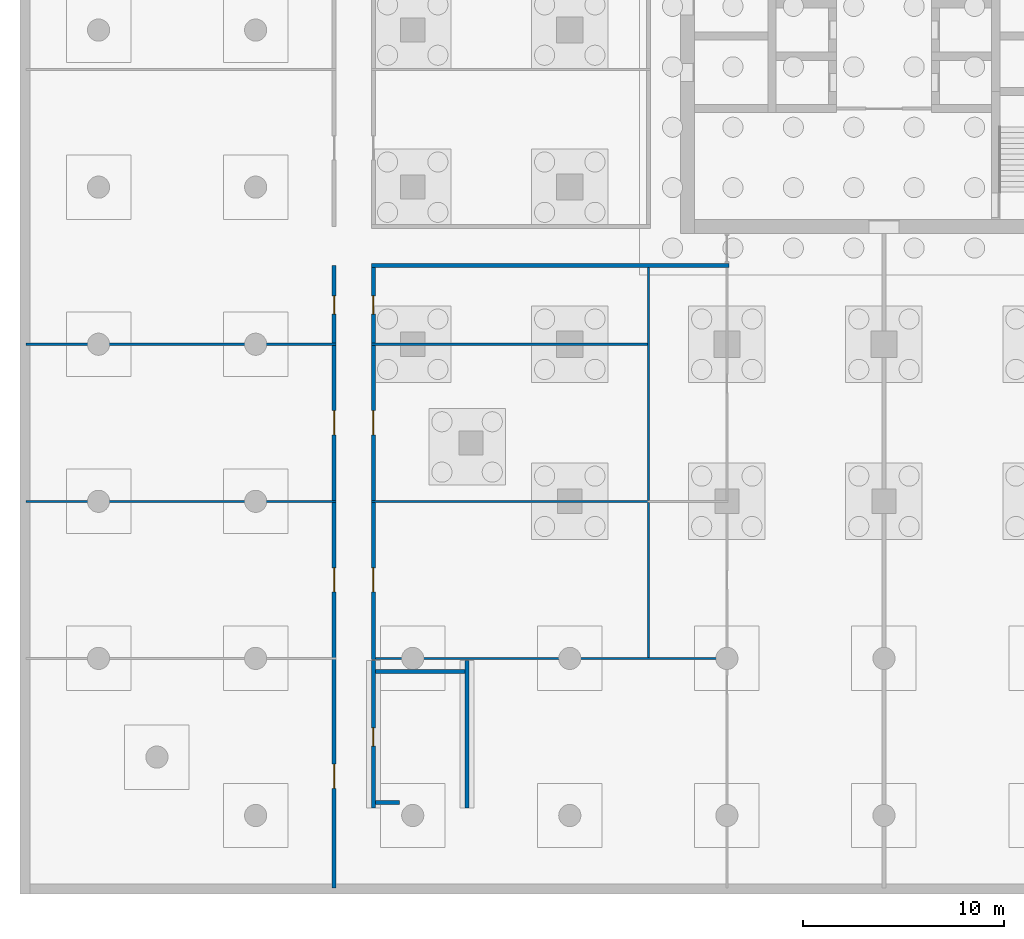
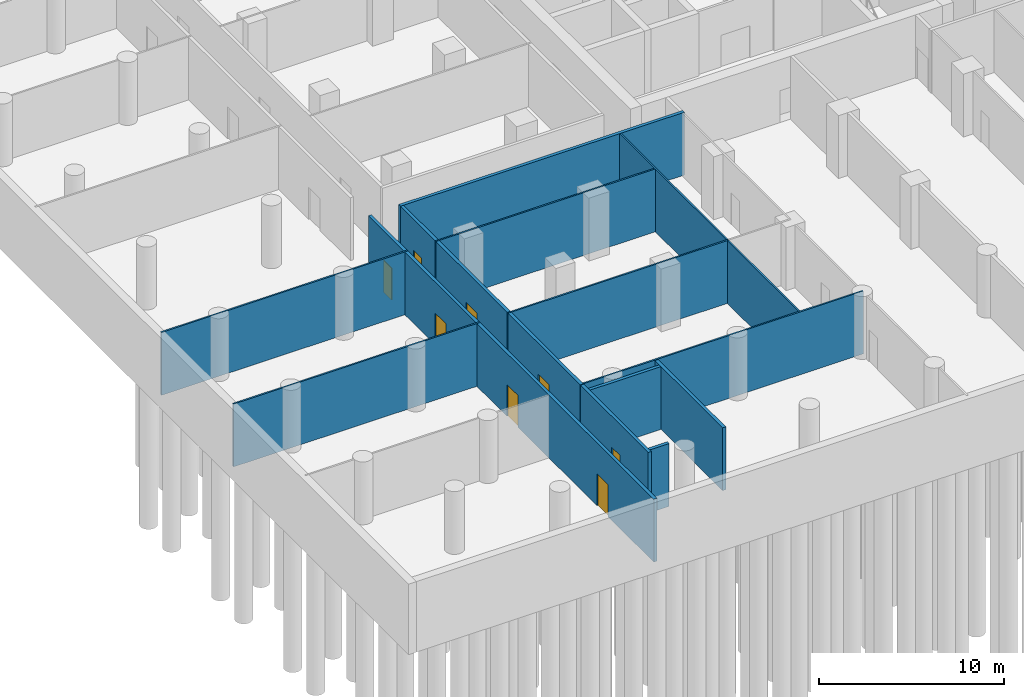
# One storey, part 3 of 16: 14 walls, 8 doors, 8 openings.
"""IFC4 building model written with IfcOpenShell, lengths in metres."""

import ifcopenshell
import ifcopenshell.guid

model = None  # the IFC model being written
_history = None  # IfcOwnerHistory: only IFC2X3 demands one
_inside = {}  # id of a spatial element -> (the spatial element, [elements in it])
_under = {}  # id of a project, library or spatial element -> (it, [spatial elements below it])
_declared = {}  # id of a project -> (the project, [libraries it declares])
_typed = {}  # id of a type object -> (the type object, [elements of that type])
_made_of = {}  # id of a material, layer set ... -> (it, [elements and type objects made of it])


def new_model(schema):
    """Start an empty IFC model of exactly this schema.

    Asked for "IFC4X3", IfcOpenShell would pick the latest addendum, in which some entities
    have other attributes; the version numbers below select the first issue.
    IFC2X3 requires an IfcOwnerHistory on every rooted entity: one is made here for all.
    """
    global model, _history
    if schema == "IFC4X3":
        model = ifcopenshell.file(schema_version=(4, 3, 0, 0))
    else:
        model = ifcopenshell.file(schema=schema)
    _inside.clear()
    _under.clear()
    _declared.clear()
    _typed.clear()
    _made_of.clear()
    _history = None
    if model.schema == "IFC2X3":
        org = make("IfcOrganization", Name="unknown")
        user = make(
            "IfcPersonAndOrganization",
            ThePerson=make("IfcPerson", FamilyName="unknown"),
            TheOrganization=org,
        )
        app = make(
            "IfcApplication",
            ApplicationDeveloper=org,
            Version="unknown",
            ApplicationFullName="unknown",
            ApplicationIdentifier="unknown",
        )
        _history = make(
            "IfcOwnerHistory",
            OwningUser=user,
            OwningApplication=app,
            ChangeAction="ADDED",
            CreationDate=0,
        )
    return model


def make(cls, **values):
    """One entity of the class cls with the attributes given. An attribute that is None is left unset."""
    return model.create_entity(
        cls, **{name: value for name, value in values.items() if value is not None}
    )


def rooted(cls, **values):
    """An entity with a GlobalId (a new one), such as an element, a storey or a relation."""
    return make(cls, GlobalId=ifcopenshell.guid.new(), OwnerHistory=_history, **values)


def si_unit(unit_type, name, prefix=None):
    """IfcSIUnit, for example si_unit("LENGTHUNIT", "METRE", prefix="MILLI")."""
    return make("IfcSIUnit", UnitType=unit_type, Prefix=prefix, Name=name)


def assignment(units):
    """IfcUnitAssignment: the units of a project."""
    return None if units is None else make("IfcUnitAssignment", Units=units)


def point(xyz):
    """IfcCartesianPoint."""
    return None if xyz is None else make("IfcCartesianPoint", Coordinates=xyz)


def direction(xyz):
    """IfcDirection."""
    return None if xyz is None else make("IfcDirection", DirectionRatios=xyz)


def frame(location, z_axis=None, x_axis=None):
    """IfcAxis2Placement3D, a coordinate frame: its origin and axes. An axis left out is left unset."""
    return make(
        "IfcAxis2Placement3D",
        Location=point(location),
        Axis=direction(z_axis),
        RefDirection=direction(x_axis),
    )


def frame_2d(location, x_axis=None):
    """IfcAxis2Placement2D, a coordinate frame in the plane: its origin and x axis."""
    return make(
        "IfcAxis2Placement2D", Location=point(location), RefDirection=direction(x_axis)
    )


def origin():
    """The frame at (0, 0, 0) with its axes left unset."""
    return frame((0.0, 0.0, 0.0))


def place(relative_to, where):
    """IfcLocalPlacement: puts the frame where relative to a parent placement (None: the world)."""
    return make(
        "IfcLocalPlacement", PlacementRelTo=relative_to, RelativePlacement=where
    )


def context(
    kind, dimensions, precision=None, world=None, true_north=None, identifier=None
):
    """IfcGeometricRepresentationContext, for example the 3D "Model" context."""
    return make(
        "IfcGeometricRepresentationContext",
        ContextIdentifier=identifier,
        ContextType=kind,
        CoordinateSpaceDimension=dimensions,
        Precision=precision,
        WorldCoordinateSystem=world,
        TrueNorth=true_north,
    )


def subcontext(parent, identifier, kind, view, scale=None):
    """IfcGeometricRepresentationSubContext, for example "Body" below "Model"."""
    return make(
        "IfcGeometricRepresentationSubContext",
        ContextIdentifier=identifier,
        ContextType=kind,
        ParentContext=parent,
        TargetScale=scale,
        TargetView=view,
    )


def project(units=None, contexts=None):
    """IfcProject with its units and contexts."""
    return rooted(
        "IfcProject",
        Name="project",
        RepresentationContexts=contexts,
        UnitsInContext=assignment(units),
    )


def spatial(cls, under=None, at=None, **own):
    """A site, building, storey or space (cls), placed at a placement, below another one or the project."""
    s = rooted(cls, ObjectPlacement=at, **own)
    if under is not None:
        _under.setdefault(under.id(), (under, []))[1].append(s)
    return s


def profile(cls, at=None, kind="AREA", **sizes):
    """A parametric profile (cls). Its sizes go by their IFC names, for example OverallWidth=200.0."""
    return make(cls, ProfileType=kind, Position=at, **sizes)


def rectangle(**sizes):
    """IfcRectangleProfileDef."""
    return profile("IfcRectangleProfileDef", **sizes)


def extrude(swept, where, along, depth):
    """IfcExtrudedAreaSolid: the profile swept, set in the frame where, extruded along a direction by depth."""
    return make(
        "IfcExtrudedAreaSolid",
        SweptArea=swept,
        Position=where,
        ExtrudedDirection=direction(along),
        Depth=depth,
    )


def shape(context_of_items, identifier, shape_type, items):
    """IfcShapeRepresentation: the items that make up one representation, for example the "Body"."""
    return make(
        "IfcShapeRepresentation",
        ContextOfItems=context_of_items,
        RepresentationIdentifier=identifier,
        RepresentationType=shape_type,
        Items=items,
    )


def material(Name=None, Category=None):
    """IfcMaterial."""
    return make("IfcMaterial", Name=Name, Category=Category)


def layer(
    of_material, thickness, ventilated=None, Name=None, Category=None, Priority=None
):
    """IfcMaterialLayer: one layer of a wall or slab, of a material (None: an air gap)."""
    return make(
        "IfcMaterialLayer",
        Material=of_material,
        LayerThickness=thickness,
        IsVentilated=ventilated,
        Name=Name,
        Category=Category,
        Priority=Priority,
    )


def layer_set(layers, Name=None):
    """IfcMaterialLayerSet."""
    return make("IfcMaterialLayerSet", MaterialLayers=layers, LayerSetName=Name)


def made_of(thing, what):
    """Note that an element or type object is made of a material, layer set ...; save() writes the relation."""
    if what is not None:
        _made_of.setdefault(what.id(), (what, []))[1].append(thing)
    return thing


def type_object(cls, material=None, **own):
    """A type object (cls), such as IfcWallType, which elements share."""
    return made_of(rooted(cls, **own), material)


def element(
    cls,
    number,
    at=None,
    inside=None,
    cuts=None,
    type_object=None,
    material=None,
    context=None,
    identifier="Body",
    shape_type=None,
    held_by="IfcProductDefinitionShape",
    body=None,
    shapes=None,
    **own,
):
    """One element of the class cls, such as IfcWall. Its Tag is "e" and its number.

    at: its placement. inside: the storey or other place that contains it. cuts: it is an
    opening in that element (IfcRelVoidsElement). A single representation is given by context,
    identifier, shape_type and body (its items); several are given by shapes. held_by: the class
    of the entity that holds the representations. save() writes the other relations.
    """
    e = rooted(cls, Tag="e%d" % number, ObjectPlacement=at, **own)
    if body is not None:
        shapes = [shape(context, identifier, shape_type, body)]
    if shapes is not None:
        e.Representation = make(held_by, Representations=shapes)
    if inside is not None:
        _inside.setdefault(inside.id(), (inside, []))[1].append(e)
    if cuts is not None:
        rooted(
            "IfcRelVoidsElement", RelatingBuildingElement=cuts, RelatedOpeningElement=e
        )
    if type_object is not None:
        _typed.setdefault(type_object.id(), (type_object, []))[1].append(e)
    return made_of(e, material)


def fill(opening, filler):
    """IfcRelFillsElement: the door or window that sits in an opening."""
    return rooted(
        "IfcRelFillsElement",
        RelatingOpeningElement=opening,
        RelatedBuildingElement=filler,
    )


def aggregate(whole, parts):
    """IfcRelAggregates: a whole, such as a stair, and the parts it consists of."""
    return rooted("IfcRelAggregates", RelatingObject=whole, RelatedObjects=parts)


def save(model, path):
    """Write the relations noted so far, then the file.

    IfcRelAggregates (storeys below a building ...), IfcRelContainedInSpatialStructure (elements
    in a storey), IfcRelDefinesByType, IfcRelAssociatesMaterial and IfcRelDeclares: one each for
    every whole, place, type object, material and project.
    """
    for whole, parts in _under.values():
        aggregate(whole, parts)
    for where, things in _inside.values():
        rooted(
            "IfcRelContainedInSpatialStructure",
            RelatedElements=things,
            RelatingStructure=where,
        )
    for kind, things in _typed.values():
        rooted("IfcRelDefinesByType", RelatedObjects=things, RelatingType=kind)
    for what, things in _made_of.values():
        rooted("IfcRelAssociatesMaterial", RelatedObjects=things, RelatingMaterial=what)
    for by, libraries in _declared.values():
        rooted("IfcRelDeclares", RelatingContext=by, RelatedDefinitions=libraries)
    model.write(path)


model = new_model("IFC4")

# Units and contexts
model_context = context("Model", 3, precision=1e-05, world=origin(), true_north=direction((0.0, 1.0)))
body_context = subcontext(model_context, "Body", "Model", "MODEL_VIEW")
ifc_project = project(units=[si_unit("LENGTHUNIT", "METRE"), si_unit("AREAUNIT", "SQUARE_METRE"), si_unit("VOLUMEUNIT", "CUBIC_METRE"), si_unit("PLANEANGLEUNIT", "RADIAN"), si_unit("MASSUNIT", "GRAM", prefix="KILO")], contexts=[model_context])

# Site, building, storey
site_placement = place(None, origin())
site = spatial("IfcSite", under=ifc_project, at=site_placement, CompositionType="ELEMENT")
building_placement = place(site_placement, origin())
building = spatial("IfcBuilding", under=site, at=building_placement, Name="Ludao Terraces", CompositionType="ELEMENT")
storey_placement = place(building_placement, frame((0.0, 0.0, -9.0)))
storey = spatial("IfcBuildingStorey", under=building, at=storey_placement, Name="B2", CompositionType="ELEMENT", Elevation=-9.0)

# Wall
ifc_material_1 = material(Name="Autoclaved aerated concrete block B06 A3.5", Category="concrete")
ifc_layer_1 = layer(ifc_material_1, 0.199951171875)
ifc_layer_set_1 = layer_set([ifc_layer_1], Name="INT Entrance wall 200")
wall_type_1 = type_object("IfcWallType", Name="INT Entrance wall 200", PredefinedType="PARTITIONING", material=ifc_layer_set_1)
wall_1_placement = place(storey_placement, frame((59.550048828125, 53.300048828125, 0.0), z_axis=(0.0, 0.0, 1.0), x_axis=(1.0, 0.0, 0.0)))
element("IfcWall", 1, at=wall_1_placement, inside=storey, type_object=wall_type_1, Name="PW-B2-PW015", PredefinedType="PARTITIONING", context=body_context, shape_type="SweptSolid", body=[
    extrude(rectangle(XDim=17.75, YDim=0.199951171875, at=frame_2d((8.875, 0.0))), origin(), (0.0, 0.0, 1.0), 4.14990234375),
])

# Wall, openings, doors
wall_2_placement = place(storey_placement, frame((57.699951171875, 22.400146484375, 0.0), z_axis=(0.0, 0.0, 1.0), x_axis=(0.0, 1.0, 0.0)))
wall_2 = element("IfcWall", 2, at=wall_2_placement, inside=storey, type_object=wall_type_1, Name="PW-B2-PW036", PredefinedType="PARTITIONING", context=body_context, shape_type="SweptSolid", body=[
    extrude(rectangle(XDim=30.89990234375, YDim=0.199951171875, at=frame_2d((15.449951171875, 0.0))), origin(), (0.0, 0.0, 1.0), 4.14990234375),
])
opening_1_placement = place(wall_2_placement, frame((4.949951171875, 0.0, 0.0)))
opening_1 = element("IfcOpeningElement", 3, at=opening_1_placement, cuts=wall_2, Name="Opening B2-003", PredefinedType="OPENING", context=body_context, shape_type="SweptSolid", body=[
    extrude(rectangle(XDim=1.199951171875, YDim=2.10009765625, at=frame_2d((0.60009765625, 1.050048828125))), frame((0.0, 0.10986328125, 0.0), z_axis=(0.0, -1.0, 0.0), x_axis=(1.0, 0.0, 0.0)), (0.0, 0.0, 1.0), 0.219970703125),
])
opening_2_placement = place(wall_2_placement, frame((14.699951171875, 0.0, 0.0)))
opening_2 = element("IfcOpeningElement", 4, at=opening_2_placement, cuts=wall_2, Name="Opening B2-009", PredefinedType="OPENING", context=body_context, shape_type="SweptSolid", body=[
    extrude(rectangle(XDim=1.199951171875, YDim=2.10009765625, at=frame_2d((0.60009765625, 1.050048828125))), frame((0.0, 0.10986328125, 0.0), z_axis=(0.0, -1.0, 0.0), x_axis=(1.0, 0.0, 0.0)), (0.0, 0.0, 1.0), 0.219970703125),
])
opening_3_placement = place(wall_2_placement, frame((22.5, 0.0, 0.0)))
opening_3 = element("IfcOpeningElement", 5, at=opening_3_placement, cuts=wall_2, Name="Opening B2-015", PredefinedType="OPENING", context=body_context, shape_type="SweptSolid", body=[
    extrude(rectangle(XDim=1.199951171875, YDim=2.10009765625, at=frame_2d((0.60009765625, 1.050048828125))), frame((0.0, 0.10986328125, 0.0), z_axis=(0.0, -1.0, 0.0), x_axis=(1.0, 0.0, 0.0)), (0.0, 0.0, 1.0), 0.219970703125),
])
opening_4_placement = place(wall_2_placement, frame((28.5, 0.0, 0.0)))
opening_4 = element("IfcOpeningElement", 6, at=opening_4_placement, cuts=wall_2, Name="Opening B2-021", PredefinedType="OPENING", context=body_context, shape_type="SweptSolid", body=[
    extrude(rectangle(XDim=0.89990234375, YDim=2.10009765625, at=frame_2d((0.449951171875, 1.050048828125))), frame((0.0, 0.10986328125, 0.0), z_axis=(0.0, -1.0, 0.0), x_axis=(1.0, 0.0, 0.0)), (0.0, 0.0, 1.0), 0.219970703125),
])
ifc_material_2 = material(Name="Timber door leaf", Category="wood")
door_type_1 = type_object("IfcDoorType", Name="INT Double door 1200", OperationType="DOUBLE_DOOR_SINGLE_SWING", PredefinedType="DOOR", material=ifc_material_2)
door_1_placement = place(opening_1_placement, origin())
door_1 = element("IfcDoor", 7, at=door_1_placement, inside=storey, type_object=door_type_1, Name="DOOR 003", OperationType="DOUBLE_DOOR_SINGLE_SWING", OverallHeight=2.10009765625, OverallWidth=1.199951171875, PredefinedType="DOOR", context=body_context, shape_type="SweptSolid", body=[
    extrude(rectangle(XDim=1.199951171875, YDim=2.10009765625, at=frame_2d((0.60009765625, 1.050048828125))), frame((0.0, 0.02490234375, 0.0), z_axis=(0.0, -1.0, 0.0), x_axis=(1.0, 0.0, 0.0)), (0.0, 0.0, 1.0), 0.050048828125),
])
fill(opening_1, door_1)
door_2_placement = place(opening_2_placement, origin())
door_2 = element("IfcDoor", 8, at=door_2_placement, inside=storey, type_object=door_type_1, Name="DOOR 009", OperationType="DOUBLE_DOOR_SINGLE_SWING", OverallHeight=2.10009765625, OverallWidth=1.199951171875, PredefinedType="DOOR", context=body_context, shape_type="SweptSolid", body=[
    extrude(rectangle(XDim=1.199951171875, YDim=2.10009765625, at=frame_2d((0.60009765625, 1.050048828125))), frame((0.0, 0.02490234375, 0.0), z_axis=(0.0, -1.0, 0.0), x_axis=(1.0, 0.0, 0.0)), (0.0, 0.0, 1.0), 0.050048828125),
])
fill(opening_2, door_2)
door_3_placement = place(opening_3_placement, origin())
door_3 = element("IfcDoor", 9, at=door_3_placement, inside=storey, type_object=door_type_1, Name="DOOR 015", OperationType="DOUBLE_DOOR_SINGLE_SWING", OverallHeight=2.10009765625, OverallWidth=1.199951171875, PredefinedType="DOOR", context=body_context, shape_type="SweptSolid", body=[
    extrude(rectangle(XDim=1.199951171875, YDim=2.10009765625, at=frame_2d((0.60009765625, 1.050048828125))), frame((0.0, 0.02490234375, 0.0), z_axis=(0.0, -1.0, 0.0), x_axis=(1.0, 0.0, 0.0)), (0.0, 0.0, 1.0), 0.050048828125),
])
fill(opening_3, door_3)
door_type_2 = type_object("IfcDoorType", Name="INT Room door 900", OperationType="SINGLE_SWING_LEFT", PredefinedType="DOOR", material=ifc_material_2)
door_4_placement = place(opening_4_placement, origin())
door_4 = element("IfcDoor", 10, at=door_4_placement, inside=storey, type_object=door_type_2, Name="DOOR 021", OperationType="SINGLE_SWING_LEFT", OverallHeight=2.10009765625, OverallWidth=0.89990234375, PredefinedType="DOOR", context=body_context, shape_type="SweptSolid", body=[
    extrude(rectangle(XDim=0.89990234375, YDim=2.10009765625, at=frame_2d((0.449951171875, 1.050048828125))), frame((0.0, 0.02490234375, 0.0), z_axis=(0.0, -1.0, 0.0), x_axis=(1.0, 0.0, 0.0)), (0.0, 0.0, 1.0), 0.050048828125),
])
fill(opening_4, door_4)

wall_3_placement = place(storey_placement, frame((59.64990234375, 33.75, 0.0), z_axis=(0.0, 0.0, 1.0), x_axis=(0.0, 1.0, 0.0)))
wall_3 = element("IfcWall", 11, at=wall_3_placement, inside=storey, type_object=wall_type_1, Name="PW-B2-PW038", PredefinedType="PARTITIONING", context=body_context, shape_type="SweptSolid", body=[
    extrude(rectangle(XDim=19.4501953125, YDim=0.199951171875, at=frame_2d((9.72509765625, 0.0))), origin(), (0.0, 0.0, 1.0), 4.14990234375),
])
opening_5_placement = place(wall_3_placement, frame((3.35009765625, 0.0, 0.0)))
opening_5 = element("IfcOpeningElement", 12, at=opening_5_placement, cuts=wall_3, Name="Opening B2-010", PredefinedType="OPENING", context=body_context, shape_type="SweptSolid", body=[
    extrude(rectangle(XDim=1.199951171875, YDim=2.10009765625, at=frame_2d((0.60009765625, 1.050048828125))), frame((0.0, 0.10986328125, 0.0), z_axis=(0.0, -1.0, 0.0), x_axis=(1.0, 0.0, 0.0)), (0.0, 0.0, 1.0), 0.219970703125),
])
opening_6_placement = place(wall_3_placement, frame((11.150146484375, 0.0, 0.0)))
opening_6 = element("IfcOpeningElement", 13, at=opening_6_placement, cuts=wall_3, Name="Opening B2-016", PredefinedType="OPENING", context=body_context, shape_type="SweptSolid", body=[
    extrude(rectangle(XDim=1.199951171875, YDim=2.10009765625, at=frame_2d((0.60009765625, 1.050048828125))), frame((0.0, 0.10986328125, 0.0), z_axis=(0.0, -1.0, 0.0), x_axis=(1.0, 0.0, 0.0)), (0.0, 0.0, 1.0), 0.219970703125),
])
opening_7_placement = place(wall_3_placement, frame((17.150146484375, 0.0, 0.0)))
opening_7 = element("IfcOpeningElement", 14, at=opening_7_placement, cuts=wall_3, Name="Opening B2-022", PredefinedType="OPENING", context=body_context, shape_type="SweptSolid", body=[
    extrude(rectangle(XDim=0.89990234375, YDim=2.10009765625, at=frame_2d((0.449951171875, 1.050048828125))), frame((0.0, 0.10986328125, 0.0), z_axis=(0.0, -1.0, 0.0), x_axis=(1.0, 0.0, 0.0)), (0.0, 0.0, 1.0), 0.219970703125),
])
door_5_placement = place(opening_5_placement, origin())
door_5 = element("IfcDoor", 15, at=door_5_placement, inside=storey, type_object=door_type_1, Name="DOOR 010", OperationType="DOUBLE_DOOR_SINGLE_SWING", OverallHeight=2.10009765625, OverallWidth=1.199951171875, PredefinedType="DOOR", context=body_context, shape_type="SweptSolid", body=[
    extrude(rectangle(XDim=1.199951171875, YDim=2.10009765625, at=frame_2d((0.60009765625, 1.050048828125))), frame((0.0, 0.02490234375, 0.0), z_axis=(0.0, -1.0, 0.0), x_axis=(1.0, 0.0, 0.0)), (0.0, 0.0, 1.0), 0.050048828125),
])
fill(opening_5, door_5)
door_6_placement = place(opening_6_placement, origin())
door_6 = element("IfcDoor", 16, at=door_6_placement, inside=storey, type_object=door_type_1, Name="DOOR 016", OperationType="DOUBLE_DOOR_SINGLE_SWING", OverallHeight=2.10009765625, OverallWidth=1.199951171875, PredefinedType="DOOR", context=body_context, shape_type="SweptSolid", body=[
    extrude(rectangle(XDim=1.199951171875, YDim=2.10009765625, at=frame_2d((0.60009765625, 1.050048828125))), frame((0.0, 0.02490234375, 0.0), z_axis=(0.0, -1.0, 0.0), x_axis=(1.0, 0.0, 0.0)), (0.0, 0.0, 1.0), 0.050048828125),
])
fill(opening_6, door_6)
door_7_placement = place(opening_7_placement, origin())
door_7 = element("IfcDoor", 17, at=door_7_placement, inside=storey, type_object=door_type_2, Name="DOOR 022", OperationType="SINGLE_SWING_LEFT", OverallHeight=2.10009765625, OverallWidth=0.89990234375, PredefinedType="DOOR", context=body_context, shape_type="SweptSolid", body=[
    extrude(rectangle(XDim=0.89990234375, YDim=2.10009765625, at=frame_2d((0.449951171875, 1.050048828125))), frame((0.0, 0.02490234375, 0.0), z_axis=(0.0, -1.0, 0.0), x_axis=(1.0, 0.0, 0.0)), (0.0, 0.0, 1.0), 0.050048828125),
])
fill(opening_7, door_7)

# Walls
ifc_material_3 = material(Name="Gypsum plasterboard", Category="gypsum")
ifc_layer_2 = layer(ifc_material_3, 0.012451171875, Category="gypsum")
ifc_material_4 = material(Name="Mineral wool")
ifc_layer_3 = layer(ifc_material_4, 0.06005859375, Name="insulation")
ifc_material_5 = material(Name="Steel Q235", Category="steel")
ifc_layer_4 = layer(ifc_material_5, 0.014892578125, Name="stud")
ifc_layer_5 = layer(ifc_material_3, 0.012451171875, Category="gypsum")
ifc_layer_set_2 = layer_set([ifc_layer_2, ifc_layer_3, ifc_layer_4, ifc_layer_5], Name="INT Partition 100")
wall_type_2 = type_object("IfcWallType", Name="INT Partition 100", PredefinedType="PARTITIONING", material=ifc_layer_set_2)
wall_4_placement = place(storey_placement, frame((59.75, 33.800048828125, 0.0), z_axis=(0.0, 0.0, 1.0), x_axis=(1.0, 0.0, 0.0)))
element("IfcWall", 18, at=wall_4_placement, inside=storey, type_object=wall_type_2, Name="PW-B2-PW003", PredefinedType="PARTITIONING", context=body_context, shape_type="SweptSolid", body=[
    extrude(rectangle(XDim=17.5, YDim=0.10009765625, at=frame_2d((8.75, 0.0))), origin(), (0.0, 0.0, 1.0), 4.14990234375),
])
wall_5_placement = place(storey_placement, frame((42.400146484375, 41.60009765625, 0.0), z_axis=(0.0, 0.0, 1.0), x_axis=(1.0, 0.0, 0.0)))
element("IfcWall", 19, at=wall_5_placement, inside=storey, type_object=wall_type_2, Name="PW-B2-PW007", PredefinedType="PARTITIONING", context=body_context, shape_type="SweptSolid", body=[
    extrude(rectangle(XDim=15.39990234375, YDim=0.10009765625, at=frame_2d((7.699951171875, 0.0))), origin(), (0.0, 0.0, 1.0), 4.14990234375),
])
wall_6_placement = place(storey_placement, frame((59.550048828125, 41.60009765625, 0.0), z_axis=(0.0, 0.0, 1.0), x_axis=(1.0, 0.0, 0.0)))
element("IfcWall", 20, at=wall_6_placement, inside=storey, type_object=wall_type_2, Name="PW-B2-PW008", PredefinedType="PARTITIONING", context=body_context, shape_type="SweptSolid", body=[
    extrude(rectangle(XDim=13.800048828125, YDim=0.10009765625, at=frame_2d((6.89990234375, 0.0))), origin(), (0.0, 0.0, 1.0), 4.14990234375),
])
wall_7_placement = place(storey_placement, frame((42.400146484375, 49.39990234375, 0.0), z_axis=(0.0, 0.0, 1.0), x_axis=(1.0, 0.0, 0.0)))
element("IfcWall", 21, at=wall_7_placement, inside=storey, type_object=wall_type_2, Name="PW-B2-PW013", PredefinedType="PARTITIONING", context=body_context, shape_type="SweptSolid", body=[
    extrude(rectangle(XDim=15.39990234375, YDim=0.10009765625, at=frame_2d((7.699951171875, 0.0))), origin(), (0.0, 0.0, 1.0), 4.14990234375),
])
wall_8_placement = place(storey_placement, frame((59.550048828125, 49.39990234375, 0.0), z_axis=(0.0, 0.0, 1.0), x_axis=(1.0, 0.0, 0.0)))
element("IfcWall", 22, at=wall_8_placement, inside=storey, type_object=wall_type_2, Name="PW-B2-PW014", PredefinedType="PARTITIONING", context=body_context, shape_type="SweptSolid", body=[
    extrude(rectangle(XDim=13.800048828125, YDim=0.10009765625, at=frame_2d((6.89990234375, 0.0))), origin(), (0.0, 0.0, 1.0), 4.14990234375),
])
wall_9_placement = place(storey_placement, frame((73.300048828125, 33.85009765625, 0.0), z_axis=(0.0, 0.0, 1.0), x_axis=(0.0, 1.0, 0.0)))
element("IfcWall", 23, at=wall_9_placement, inside=storey, type_object=wall_type_2, Name="PW-B2-PW040", PredefinedType="PARTITIONING", context=body_context, shape_type="SweptSolid", body=[
    extrude(rectangle(XDim=7.699951171875, YDim=0.10009765625, at=frame_2d((3.85009765625, 0.0))), origin(), (0.0, 0.0, 1.0), 4.14990234375),
])
wall_10_placement = place(storey_placement, frame((73.300048828125, 41.650146484375, 0.0), z_axis=(0.0, 0.0, 1.0), x_axis=(0.0, 1.0, 0.0)))
element("IfcWall", 24, at=wall_10_placement, inside=storey, type_object=wall_type_2, Name="PW-B2-PW041", PredefinedType="PARTITIONING", context=body_context, shape_type="SweptSolid", body=[
    extrude(rectangle(XDim=11.550048828125, YDim=0.10009765625, at=frame_2d((5.77490234375, 0.0))), origin(), (0.0, 0.0, 1.0), 4.14990234375),
])

# Wall, opening, door
ifc_material_6 = material(Name="Concrete C50", Category="concrete")
ifc_layer_6 = layer(ifc_material_6, 0.199951171875)
ifc_layer_set_3 = layer_set([ifc_layer_6], Name="Shaft wall 200 C50")
wall_type_3 = type_object("IfcWallType", Name="Shaft wall 200 C50", PredefinedType="SOLIDWALL", material=ifc_layer_set_3)
wall_11_placement = place(storey_placement, frame((59.64990234375, 26.3798828125, 0.0), z_axis=(0.0, 0.0, 1.0), x_axis=(0.0, 1.0, 0.0)))
wall_11 = element("IfcWall", 25, at=wall_11_placement, inside=storey, type_object=wall_type_3, Name="Stair wall B2 PS1 W", PredefinedType="SOLIDWALL", context=body_context, shape_type="SweptSolid", body=[
    extrude(rectangle(XDim=7.320068359375, YDim=0.199951171875, at=frame_2d((3.66015625, 0.0))), origin(), (0.0, 0.0, 1.0), 4.14990234375),
])
opening_8_placement = place(wall_11_placement, frame((3.070068359375, 0.0, 0.0)))
opening_8 = element("IfcOpeningElement", 26, at=opening_8_placement, cuts=wall_11, Name="Opening B2-004", PredefinedType="OPENING", context=body_context, shape_type="SweptSolid", body=[
    extrude(rectangle(XDim=0.89990234375, YDim=2.10009765625, at=frame_2d((0.449951171875, 1.050048828125))), frame((0.0, 0.10986328125, 0.0), z_axis=(0.0, -1.0, 0.0), x_axis=(1.0, 0.0, 0.0)), (0.0, 0.0, 1.0), 0.219970703125),
])
door_8_placement = place(opening_8_placement, origin())
door_8 = element("IfcDoor", 27, at=door_8_placement, inside=storey, type_object=door_type_2, Name="DOOR 004", OperationType="SINGLE_SWING_LEFT", OverallHeight=2.10009765625, OverallWidth=0.89990234375, PredefinedType="DOOR", context=body_context, shape_type="SweptSolid", body=[
    extrude(rectangle(XDim=0.89990234375, YDim=2.10009765625, at=frame_2d((0.449951171875, 1.050048828125))), frame((0.0, 0.02490234375, 0.0), z_axis=(0.0, -1.0, 0.0), x_axis=(1.0, 0.0, 0.0)), (0.0, 0.0, 1.0), 0.050048828125),
])
fill(opening_8, door_8)

# Walls
wall_12_placement = place(storey_placement, frame((64.300048828125, 26.3798828125, 0.0), z_axis=(0.0, 0.0, 1.0), x_axis=(0.0, 1.0, 0.0)))
element("IfcWall", 28, at=wall_12_placement, inside=storey, type_object=wall_type_3, Name="Stair wall B2 PS1 E", PredefinedType="SOLIDWALL", context=body_context, shape_type="SweptSolid", body=[
    extrude(rectangle(XDim=7.320068359375, YDim=0.199951171875, at=frame_2d((3.66015625, 0.0))), origin(), (0.0, 0.0, 1.0), 4.14990234375),
])
wall_13_placement = place(storey_placement, frame((59.75, 33.14990234375, 0.0), z_axis=(0.0, 0.0, 1.0), x_axis=(1.0, 0.0, 0.0)))
element("IfcWall", 29, at=wall_13_placement, inside=storey, type_object=wall_type_3, Name="Stair wall B2 PS1 N", PredefinedType="SOLIDWALL", context=body_context, shape_type="SweptSolid", body=[
    extrude(rectangle(XDim=4.449951171875, YDim=0.199951171875, at=frame_2d((2.22509765625, 0.0))), origin(), (0.0, 0.0, 1.0), 4.14990234375),
])
wall_14_placement = place(storey_placement, frame((59.75, 26.64990234375, 0.0), z_axis=(0.0, 0.0, 1.0), x_axis=(1.0, 0.0, 0.0)))
element("IfcWall", 30, at=wall_14_placement, inside=storey, type_object=wall_type_3, Name="Stair wall B2 PS1 S", PredefinedType="SOLIDWALL", context=body_context, shape_type="SweptSolid", body=[
    extrude(rectangle(XDim=1.199951171875, YDim=0.199951171875, at=frame_2d((0.60009765625, 0.0))), origin(), (0.0, 0.0, 1.0), 4.14990234375),
])

save(model, "model.ifc")
